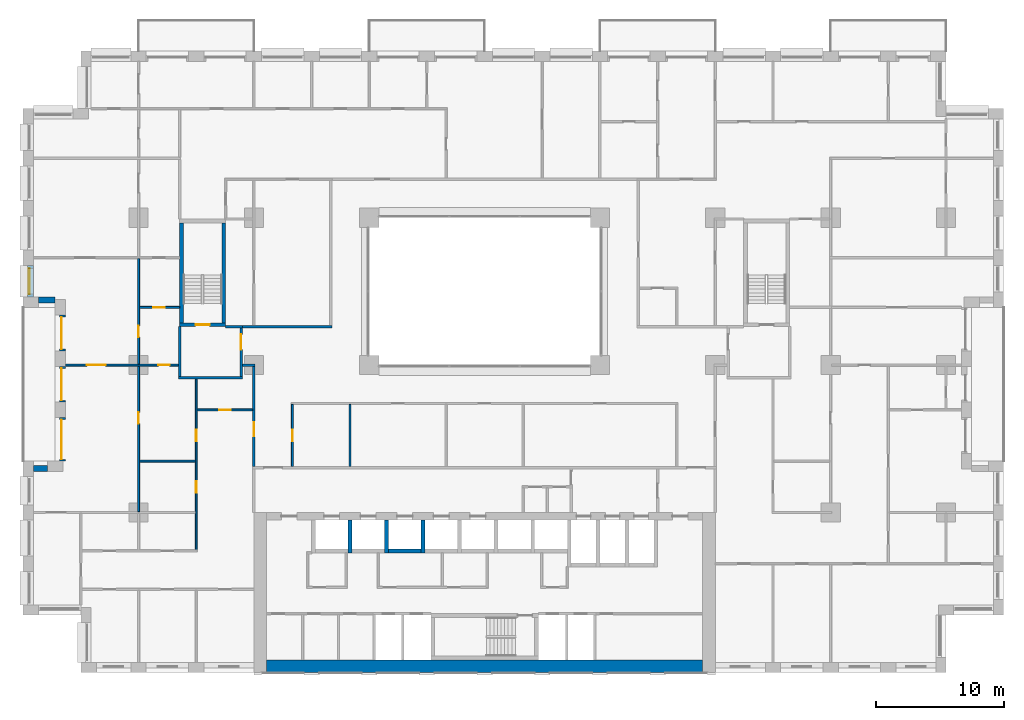
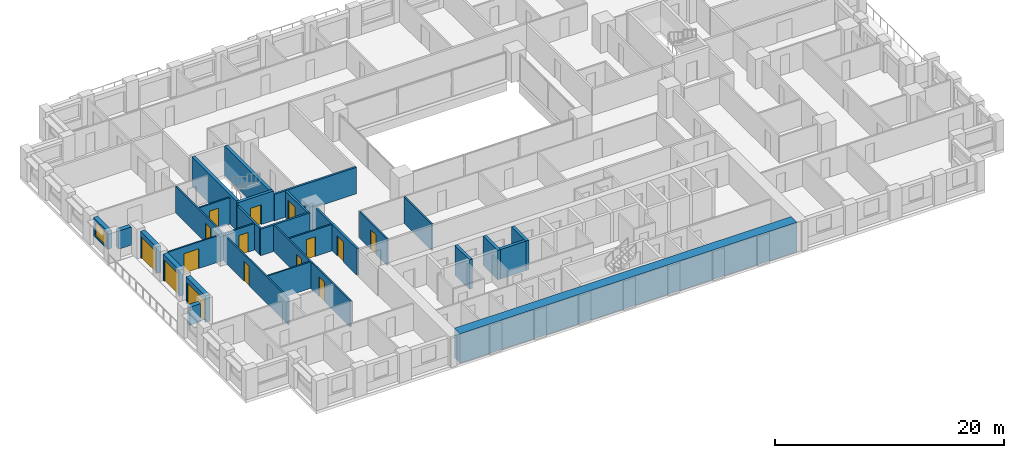
# One storey, part 10 of 20: 30 walls, 15 doors, 1 window, 16 openings.
"""IFC4 building model written with IfcOpenShell, lengths in metres."""

from ifc_helpers import new_model, si_unit, direction, frame, frame_2d, origin, place, context, subcontext, project, spatial, rectangle, extrude, material, layer, layer_set, type_object, element, fill, save


model = new_model("IFC4")

# Units and contexts
model_context = context("Model", 3, precision=1e-05, world=origin(), true_north=direction((0.0, 1.0)))
body_context = subcontext(model_context, "Body", "Model", "MODEL_VIEW")
ifc_project = project(units=[si_unit("LENGTHUNIT", "METRE"), si_unit("AREAUNIT", "SQUARE_METRE"), si_unit("VOLUMEUNIT", "CUBIC_METRE"), si_unit("PLANEANGLEUNIT", "RADIAN"), si_unit("MASSUNIT", "GRAM", prefix="KILO")], contexts=[model_context])

# Site, building, storey
site_placement = place(None, origin())
site = spatial("IfcSite", under=ifc_project, at=site_placement, CompositionType="ELEMENT")
building_placement = place(site_placement, origin())
building = spatial("IfcBuilding", under=site, at=building_placement, Name="Brigalow Station Residences", CompositionType="ELEMENT")
storey_placement = place(building_placement, frame((0.0, 0.0, 57.300048828125)))
storey = spatial("IfcBuildingStorey", under=building, at=storey_placement, Name="L16", CompositionType="ELEMENT", Elevation=57.300048828125)

# Wall, opening, window
ifc_material_1 = material(Name="Clay brick masonry", Category="masonry")
ifc_layer_1 = layer(ifc_material_1, 0.449951171875)
ifc_layer_set_1 = layer_set([ifc_layer_1], Name="BRICK INFILL WALL 450")
wall_type_1 = type_object("IfcWallType", Name="BRICK INFILL WALL 450", PredefinedType="SOLIDWALL", material=ifc_layer_set_1)
wall_1_placement = place(storey_placement, frame((0.574951171875, 31.77490234375, 0.89990234375), z_axis=(0.0, 0.0, 1.0), x_axis=(0.0, -1.0, 0.0)))
wall_1 = element("IfcWall", 1, at=wall_1_placement, inside=storey, type_object=wall_type_1, Name="L16/ewall/W-L16-45", PredefinedType="SOLIDWALL", context=body_context, shape_type="SweptSolid", body=[
    extrude(rectangle(XDim=2.474853515625, YDim=0.449951171875, at=frame_2d((1.2373046875, 0.0))), origin(), (0.0, 0.0, 1.0), 1.929931640625),
])
opening_1_placement = place(wall_1_placement, frame((0.237548828125, 0.0, 0.14990234375)))
opening_1 = element("IfcOpeningElement", 2, at=opening_1_placement, cuts=wall_1, Name="Opening WT-7", PredefinedType="OPENING", context=body_context, shape_type="SweptSolid", body=[
    extrude(rectangle(XDim=2.0, YDim=1.5, at=frame_2d((1.0, 0.75))), frame((0.0, 0.23486328125, 0.0), z_axis=(0.0, -1.0, 0.0), x_axis=(1.0, 0.0, 0.0)), (0.0, 0.0, 1.0), 0.469970703125),
])
ifc_material_2 = material(Name="Anodised aluminium frame with double glazing", Category="aluminium")
window_type = type_object("IfcWindowType", Name="WINDOW 2000x1500", PartitioningType="SINGLE_PANEL", PredefinedType="WINDOW", material=ifc_material_2)
window_placement = place(opening_1_placement, origin())
window = element("IfcWindow", 3, at=window_placement, inside=storey, type_object=window_type, Name="L16/window/W-L16-45", OverallHeight=1.5, OverallWidth=2.0, PartitioningType="SINGLE_PANEL", PredefinedType="WINDOW", context=body_context, shape_type="SweptSolid", body=[
    extrude(rectangle(XDim=2.0, YDim=1.5, at=frame_2d((1.0, 0.75))), frame((0.0, -0.06494140625, 0.0), z_axis=(0.0, -1.0, 0.0), x_axis=(1.0, 0.0, 0.0)), (0.0, 0.0, 1.0), 0.06005859375),
])
fill(opening_1, window)

# Wall
wall_2_placement = place(storey_placement, frame((1.199951171875, 29.074951171875, 0.89990234375), z_axis=(0.0, 0.0, 1.0), x_axis=(1.0, 0.0, 0.0)))
element("IfcWall", 4, at=wall_2_placement, inside=storey, type_object=wall_type_1, Name="L16/ewall/W-L16-46", PredefinedType="SOLIDWALL", context=body_context, shape_type="SweptSolid", body=[
    extrude(rectangle(XDim=1.300048828125, YDim=0.449951171875, at=frame_2d((0.64990234375, 0.0))), origin(), (0.0, 0.0, 1.0), 1.929931640625),
])

# Wall, opening, door
wall_3_placement = place(storey_placement, frame((3.074951171875, 27.89990234375, 0.0), z_axis=(0.0, 0.0, 1.0), x_axis=(0.0, -1.0, 0.0)))
wall_3 = element("IfcWall", 5, at=wall_3_placement, inside=storey, type_object=wall_type_1, Name="L16/ewall/W-L16-47", PredefinedType="SOLIDWALL", context=body_context, shape_type="SweptSolid", body=[
    extrude(rectangle(XDim=2.7998046875, YDim=0.449951171875, at=frame_2d((1.39990234375, 0.0))), origin(), (0.0, 0.0, 1.0), 2.829833984375),
])
opening_2_placement = place(wall_3_placement, frame((0.14990234375, 0.0, 0.0)))
opening_2 = element("IfcOpeningElement", 6, at=opening_2_placement, cuts=wall_3, Name="Opening D-B2500", PredefinedType="OPENING", context=body_context, shape_type="SweptSolid", body=[
    extrude(rectangle(XDim=2.5, YDim=2.300048828125, at=frame_2d((1.25, 1.14990234375))), frame((0.0, 0.23486328125, 0.0), z_axis=(0.0, -1.0, 0.0), x_axis=(1.0, 0.0, 0.0)), (0.0, 0.0, 1.0), 0.469970703125),
])
ifc_material_3 = material(Name="Anodised aluminium frame with double glazing", Category="aluminium")
door_type_1 = type_object("IfcDoorType", Name="BALCONY SLIDING DOOR 2500x2300", OperationType="SLIDING_TO_LEFT", PredefinedType="DOOR", material=ifc_material_3)
door_1_placement = place(opening_2_placement, origin())
door_1 = element("IfcDoor", 7, at=door_1_placement, inside=storey, type_object=door_type_1, Name="L16/balcony-door/W-L16-47", OperationType="SLIDING_TO_LEFT", OverallHeight=2.300048828125, OverallWidth=2.5, PredefinedType="DOOR", context=body_context, shape_type="SweptSolid", body=[
    extrude(rectangle(XDim=2.5, YDim=2.300048828125, at=frame_2d((1.25, 1.14990234375))), frame((0.0, -0.06982421875, 0.0), z_axis=(0.0, -1.0, 0.0), x_axis=(1.0, 0.0, 0.0)), (0.0, 0.0, 1.0), 0.050048828125),
])
fill(opening_2, door_1)

wall_4_placement = place(storey_placement, frame((3.074951171875, 23.89990234375, 0.0), z_axis=(0.0, 0.0, 1.0), x_axis=(0.0, -1.0, 0.0)))
wall_4 = element("IfcWall", 8, at=wall_4_placement, inside=storey, type_object=wall_type_1, Name="L16/ewall/W-L16-48", PredefinedType="SOLIDWALL", context=body_context, shape_type="SweptSolid", body=[
    extrude(rectangle(XDim=2.7998046875, YDim=0.449951171875, at=frame_2d((1.39990234375, 0.0))), origin(), (0.0, 0.0, 1.0), 2.829833984375),
])
opening_3_placement = place(wall_4_placement, frame((0.14990234375, 0.0, 0.0)))
opening_3 = element("IfcOpeningElement", 9, at=opening_3_placement, cuts=wall_4, Name="Opening D-B2500", PredefinedType="OPENING", context=body_context, shape_type="SweptSolid", body=[
    extrude(rectangle(XDim=2.5, YDim=2.300048828125, at=frame_2d((1.25, 1.14990234375))), frame((0.0, 0.23486328125, 0.0), z_axis=(0.0, -1.0, 0.0), x_axis=(1.0, 0.0, 0.0)), (0.0, 0.0, 1.0), 0.469970703125),
])
door_2_placement = place(opening_3_placement, origin())
door_2 = element("IfcDoor", 10, at=door_2_placement, inside=storey, type_object=door_type_1, Name="L16/balcony-door/W-L16-48", OperationType="SLIDING_TO_LEFT", OverallHeight=2.300048828125, OverallWidth=2.5, PredefinedType="DOOR", context=body_context, shape_type="SweptSolid", body=[
    extrude(rectangle(XDim=2.5, YDim=2.300048828125, at=frame_2d((1.25, 1.14990234375))), frame((0.0, -0.06982421875, 0.0), z_axis=(0.0, -1.0, 0.0), x_axis=(1.0, 0.0, 0.0)), (0.0, 0.0, 1.0), 0.050048828125),
])
fill(opening_3, door_2)

wall_5_placement = place(storey_placement, frame((3.074951171875, 19.89990234375, 0.0), z_axis=(0.0, 0.0, 1.0), x_axis=(0.0, -1.0, 0.0)))
wall_5 = element("IfcWall", 11, at=wall_5_placement, inside=storey, type_object=wall_type_1, Name="L16/ewall/W-L16-49", PredefinedType="SOLIDWALL", context=body_context, shape_type="SweptSolid", body=[
    extrude(rectangle(XDim=3.39990234375, YDim=0.449951171875, at=frame_2d((1.699951171875, 0.0))), origin(), (0.0, 0.0, 1.0), 2.829833984375),
])
opening_4_placement = place(wall_5_placement, frame((0.14990234375, 0.0, 0.0)))
opening_4 = element("IfcOpeningElement", 12, at=opening_4_placement, cuts=wall_5, Name="Opening D-B3100", PredefinedType="OPENING", context=body_context, shape_type="SweptSolid", body=[
    extrude(rectangle(XDim=3.10009765625, YDim=2.300048828125, at=frame_2d((1.550048828125, 1.14990234375))), frame((0.0, 0.23486328125, 0.0), z_axis=(0.0, -1.0, 0.0), x_axis=(1.0, 0.0, 0.0)), (0.0, 0.0, 1.0), 0.469970703125),
])
ifc_material_4 = material(Name="Anodised aluminium frame with double glazing", Category="aluminium")
door_type_2 = type_object("IfcDoorType", Name="BALCONY SLIDING DOOR 3100x2300", OperationType="SLIDING_TO_LEFT", PredefinedType="DOOR", material=ifc_material_4)
door_3_placement = place(opening_4_placement, origin())
door_3 = element("IfcDoor", 13, at=door_3_placement, inside=storey, type_object=door_type_2, Name="L16/balcony-door/W-L16-49", OperationType="SLIDING_TO_LEFT", OverallHeight=2.300048828125, OverallWidth=3.10009765625, PredefinedType="DOOR", context=body_context, shape_type="SweptSolid", body=[
    extrude(rectangle(XDim=3.10009765625, YDim=2.300048828125, at=frame_2d((1.550048828125, 1.14990234375))), frame((0.0, -0.06982421875, 0.0), z_axis=(0.0, -1.0, 0.0), x_axis=(1.0, 0.0, 0.0)), (0.0, 0.0, 1.0), 0.050048828125),
])
fill(opening_4, door_3)

# Walls
wall_6_placement = place(storey_placement, frame((1.89990234375, 15.925048828125, 0.89990234375), z_axis=(0.0, 0.0, 1.0), x_axis=(-1.0, 0.0, 0.0)))
element("IfcWall", 14, at=wall_6_placement, inside=storey, type_object=wall_type_1, Name="L16/ewall/W-L16-50", PredefinedType="SOLIDWALL", context=body_context, shape_type="SweptSolid", body=[
    extrude(rectangle(XDim=1.099853515625, YDim=0.449951171875, at=frame_2d((0.5498046875, 0.0))), origin(), (0.0, 0.0, 1.0), 1.929931640625),
])
ifc_material_5 = material(Name="Concrete C80", Category="concrete")
ifc_layer_2 = layer(ifc_material_5, 1.0)
ifc_layer_set_2 = layer_set([ifc_layer_2], Name="CORE SHEAR WALL 1000 C80")
wall_type_2 = type_object("IfcWallType", Name="CORE SHEAR WALL 1000 C80", PredefinedType="SHEAR", material=ifc_layer_set_2)
wall_7_placement = place(storey_placement, frame((19.0, 0.5, 0.0), z_axis=(0.0, 0.0, 1.0), x_axis=(1.0, 0.0, 0.0)))
element("IfcWall", 15, at=wall_7_placement, inside=storey, type_object=wall_type_2, Name="CORE WALL OUT-S L16", PredefinedType="SHEAR", context=body_context, shape_type="SweptSolid", body=[
    extrude(rectangle(XDim=34.0, YDim=1.0, at=frame_2d((17.0, 0.0))), origin(), (0.0, 0.0, 1.0), 3.14990234375),
])
ifc_material_6 = material(Name="Concrete C80", Category="concrete")
ifc_layer_3 = layer(ifc_material_6, 0.300048828125)
ifc_layer_set_3 = layer_set([ifc_layer_3], Name="CORE SHEAR WALL 300 C80")
wall_type_3 = type_object("IfcWallType", Name="CORE SHEAR WALL 300 C80", PredefinedType="SHEAR", material=ifc_layer_set_3)
wall_8_placement = place(storey_placement, frame((25.5, 9.35009765625, 0.0), z_axis=(0.0, 0.0, 1.0), x_axis=(0.0, 1.0, 0.0)))
element("IfcWall", 16, at=wall_8_placement, inside=storey, type_object=wall_type_3, Name="CORE WALL SH-P2-W L16", PredefinedType="SHEAR", context=body_context, shape_type="SweptSolid", body=[
    extrude(rectangle(XDim=2.5498046875, YDim=0.300048828125, at=frame_2d((1.27490234375, 0.0))), origin(), (0.0, 0.0, 1.0), 3.14990234375),
])
wall_9_placement = place(storey_placement, frame((28.5, 9.5, 0.0), z_axis=(0.0, 0.0, 1.0), x_axis=(1.0, 0.0, 0.0)))
element("IfcWall", 17, at=wall_9_placement, inside=storey, type_object=wall_type_3, Name="CORE WALL SH-P3-S L16", PredefinedType="SHEAR", context=body_context, shape_type="SweptSolid", body=[
    extrude(rectangle(XDim=2.550048828125, YDim=0.300048828125, at=frame_2d((1.27490234375, 0.0))), origin(), (0.0, 0.0, 1.0), 3.14990234375),
])
for number, where, z_axis, x_axis, name in (
    (18, (28.35009765625, 9.35009765625, 0.0), (0.0, 0.0, 1.0), (0.0, 1.0, 0.0), "CORE WALL SH-P3-W L16"),
    (19, (31.199951171875, 9.35009765625, 0.0), (0.0, 0.0, 1.0), (0.0, 1.0, 0.0), "CORE WALL SH-P4-W L16"),
):
    element("IfcWall", number, at=place(storey_placement, frame(where, z_axis=z_axis, x_axis=x_axis)), inside=storey, type_object=wall_type_3, Name=name, PredefinedType="SHEAR", context=body_context, shape_type="SweptSolid", body=[
        extrude(rectangle(XDim=2.5498046875, YDim=0.300048828125, at=frame_2d((1.27490234375, 0.0))), origin(), (0.0, 0.0, 1.0), 3.14990234375),
    ])

# Wall, opening, door
wall_10_placement = place(storey_placement, frame((12.199951171875, 27.14990234375, 0.0), z_axis=(0.0, 0.0, 1.0), x_axis=(1.0, 0.0, 0.0)))
wall_10 = element("IfcWall", 20, at=wall_10_placement, inside=storey, type_object=wall_type_3, Name="CORE WALL ST-S1-S L16", PredefinedType="SHEAR", context=body_context, shape_type="SweptSolid", body=[
    extrude(rectangle(XDim=3.60009765625, YDim=0.300048828125, at=frame_2d((1.800048828125, 0.0))), origin(), (0.0, 0.0, 1.0), 3.14990234375),
])
opening_5_placement = place(wall_10_placement, frame((1.25, 0.0, 0.0)))
opening_5 = element("IfcOpeningElement", 21, at=opening_5_placement, cuts=wall_10, Name="Opening D-5015", PredefinedType="OPENING", context=body_context, shape_type="SweptSolid", body=[
    extrude(rectangle(XDim=1.10009765625, YDim=2.10009765625, at=frame_2d((0.550048828125, 1.050048828125))), frame((0.0, 0.16015625, 0.0), z_axis=(0.0, -1.0, 0.0), x_axis=(1.0, 0.0, 0.0)), (0.0, 0.0, 1.0), 0.320068359375),
])
ifc_material_7 = material(Name="Steel fire door leaf in steel frame", Category="steel")
door_type_3 = type_object("IfcDoorType", Name="STAIR DOOR 1100 x 2100 FD60S", OperationType="SINGLE_SWING_LEFT", PredefinedType="DOOR", material=ifc_material_7)
door_4_placement = place(opening_5_placement, origin())
door_4 = element("IfcDoor", 22, at=door_4_placement, inside=storey, type_object=door_type_3, Name="D-5015", OperationType="SINGLE_SWING_LEFT", OverallHeight=2.10009765625, OverallWidth=1.10009765625, PredefinedType="DOOR", context=body_context, shape_type="SweptSolid", body=[
    extrude(rectangle(XDim=1.10009765625, YDim=2.10009765625, at=frame_2d((0.550048828125, 1.050048828125))), frame((0.0, 0.02490234375, 0.0), z_axis=(0.0, -1.0, 0.0), x_axis=(1.0, 0.0, 0.0)), (0.0, 0.0, 1.0), 0.050048828125),
])
fill(opening_5, door_4)

# Walls
for number, where, z_axis, x_axis, name in (
    (23, (12.35009765625, 27.300048828125, 0.0), (0.0, 0.0, 1.0), (0.0, 1.0, 0.0), "CORE WALL ST-S1-W L16"),
    (24, (15.64990234375, 27.300048828125, 0.0), (0.0, 0.0, 1.0), (0.0, 1.0, 0.0), "CORE WALL ST-S1-E L16"),
):
    element("IfcWall", number, at=place(storey_placement, frame(where, z_axis=z_axis, x_axis=x_axis)), inside=storey, type_object=wall_type_3, Name=name, PredefinedType="SHEAR", context=body_context, shape_type="SweptSolid", body=[
        extrude(rectangle(XDim=7.800048828125, YDim=0.300048828125, at=frame_2d((3.89990234375, 0.0))), origin(), (0.0, 0.0, 1.0), 3.14990234375),
    ])
ifc_material_8 = material(Name="Concrete blockwork", Category="masonry")
ifc_layer_4 = layer(ifc_material_8, 0.199951171875)
ifc_layer_set_4 = layer_set([ifc_layer_4], Name="FIRE RATED CORE PARTITION 200")
wall_type_4 = type_object("IfcWallType", Name="FIRE RATED CORE PARTITION 200", PredefinedType="PARTITIONING", material=ifc_layer_set_4)
wall_11_placement = place(storey_placement, frame((12.10009765625, 23.0, 0.0), z_axis=(0.0, 0.0, 1.0), x_axis=(1.0, 0.0, 0.0)))
element("IfcWall", 25, at=wall_11_placement, inside=storey, type_object=wall_type_4, Name="PW-5023", PredefinedType="PARTITIONING", context=body_context, shape_type="SweptSolid", body=[
    extrude(rectangle(XDim=5.0, YDim=0.199951171875, at=frame_2d((2.5, 0.0))), origin(), (0.0, 0.0, 1.0), 2.829833984375),
])
wall_12_placement = place(storey_placement, frame((15.800048828125, 27.0, 0.0), z_axis=(0.0, 0.0, 1.0), x_axis=(1.0, 0.0, 0.0)))
element("IfcWall", 26, at=wall_12_placement, inside=storey, type_object=wall_type_4, Name="PW-5025", PredefinedType="PARTITIONING", context=body_context, shape_type="SweptSolid", body=[
    extrude(rectangle(XDim=1.300048828125, YDim=0.199951171875, at=frame_2d((0.64990234375, 0.0))), origin(), (0.0, 0.0, 1.0), 2.829833984375),
])
wall_13_placement = place(storey_placement, frame((12.199951171875, 23.10009765625, 0.0), z_axis=(0.0, 0.0, 1.0), x_axis=(0.0, 1.0, 0.0)))
element("IfcWall", 27, at=wall_13_placement, inside=storey, type_object=wall_type_4, Name="PW-5034", PredefinedType="PARTITIONING", context=body_context, shape_type="SweptSolid", body=[
    extrude(rectangle(XDim=3.89990234375, YDim=0.199951171875, at=frame_2d((1.949951171875, 0.0))), origin(), (0.0, 0.0, 1.0), 2.829833984375),
])

# Wall, opening, door
wall_14_placement = place(storey_placement, frame((17.0, 23.10009765625, 0.0), z_axis=(0.0, 0.0, 1.0), x_axis=(0.0, 1.0, 0.0)))
wall_14 = element("IfcWall", 28, at=wall_14_placement, inside=storey, type_object=wall_type_4, Name="PW-5035", PredefinedType="PARTITIONING", context=body_context, shape_type="SweptSolid", body=[
    extrude(rectangle(XDim=3.7998046875, YDim=0.199951171875, at=frame_2d((1.89990234375, 0.0))), origin(), (0.0, 0.0, 1.0), 2.829833984375),
])
opening_6_placement = place(wall_14_placement, frame((2.10009765625, 0.0, 0.0)))
opening_6 = element("IfcOpeningElement", 29, at=opening_6_placement, cuts=wall_14, Name="Opening D-5016", PredefinedType="OPENING", context=body_context, shape_type="SweptSolid", body=[
    extrude(rectangle(XDim=1.199951171875, YDim=2.10009765625, at=frame_2d((0.60009765625, 1.050048828125))), frame((0.0, 0.10986328125, 0.0), z_axis=(0.0, -1.0, 0.0), x_axis=(1.0, 0.0, 0.0)), (0.0, 0.0, 1.0), 0.219970703125),
])
ifc_material_9 = material(Name="Steel fire door leaf in steel frame", Category="steel")
door_type_4 = type_object("IfcDoorType", Name="STAIR LOBBY DOOR 1200 x 2100 FD60S", OperationType="SINGLE_SWING_LEFT", PredefinedType="DOOR", material=ifc_material_9)
door_5_placement = place(opening_6_placement, origin())
door_5 = element("IfcDoor", 30, at=door_5_placement, inside=storey, type_object=door_type_4, Name="D-5016", OperationType="SINGLE_SWING_RIGHT", OverallHeight=2.10009765625, OverallWidth=1.199951171875, PredefinedType="DOOR", context=body_context, shape_type="SweptSolid", body=[
    extrude(rectangle(XDim=1.199951171875, YDim=2.10009765625, at=frame_2d((0.60009765625, 1.050048828125))), frame((0.0, 0.02490234375, 0.0), z_axis=(0.0, -1.0, 0.0), x_axis=(1.0, 0.0, 0.0)), (0.0, 0.0, 1.0), 0.050048828125),
])
fill(opening_6, door_5)

# Wall, openings, doors
ifc_material_10 = material(Name="Plasterboard on steel stud partition", Category="steel")
ifc_layer_5 = layer(ifc_material_10, 0.14990234375)
ifc_layer_set_5 = layer_set([ifc_layer_5], Name="FLAT PARTITION 150")
wall_type_5 = type_object("IfcWallType", Name="FLAT PARTITION 150", PredefinedType="PARTITIONING", material=ifc_layer_set_5)
wall_15_placement = place(storey_placement, frame((3.300048828125, 24.0, 0.0), z_axis=(0.0, 0.0, 1.0), x_axis=(1.0, 0.0, 0.0)))
wall_15 = element("IfcWall", 31, at=wall_15_placement, inside=storey, type_object=wall_type_5, Name="PW-1E02", PredefinedType="PARTITIONING", context=body_context, shape_type="SweptSolid", body=[
    extrude(rectangle(XDim=8.800048828125, YDim=0.14990234375, at=frame_2d((4.39990234375, 0.0))), origin(), (0.0, 0.0, 1.0), 2.829833984375),
])
opening_7_placement = place(wall_15_placement, frame((1.64990234375, 0.0, 0.0)))
opening_7 = element("IfcOpeningElement", 32, at=opening_7_placement, cuts=wall_15, Name="Opening D-1E07", PredefinedType="OPENING", context=body_context, shape_type="SweptSolid", body=[
    extrude(rectangle(XDim=1.5, YDim=2.10009765625, at=frame_2d((0.75, 1.050048828125))), frame((0.0, 0.0849609375, 0.0), z_axis=(0.0, -1.0, 0.0), x_axis=(1.0, 0.0, 0.0)), (0.0, 0.0, 1.0), 0.169921875),
])
opening_8_placement = place(wall_15_placement, frame((7.22509765625, 0.0, 0.0)))
opening_8 = element("IfcOpeningElement", 33, at=opening_8_placement, cuts=wall_15, Name="Opening D-1E16", PredefinedType="OPENING", context=body_context, shape_type="SweptSolid", body=[
    extrude(rectangle(XDim=0.89990234375, YDim=2.10009765625, at=frame_2d((0.449951171875, 1.050048828125))), frame((0.0, 0.0849609375, 0.0), z_axis=(0.0, -1.0, 0.0), x_axis=(1.0, 0.0, 0.0)), (0.0, 0.0, 1.0), 0.169921875),
])
ifc_material_11 = material(Name="Solid-core timber door leaf", Category="wood")
door_type_5 = type_object("IfcDoorType", Name="INTERNAL DOOR 900 x 2100", OperationType="SINGLE_SWING_LEFT", PredefinedType="DOOR", material=ifc_material_11)
door_6_placement = place(opening_8_placement, origin())
door_6 = element("IfcDoor", 34, at=door_6_placement, inside=storey, type_object=door_type_5, Name="D-1E16", OperationType="SINGLE_SWING_RIGHT", OverallHeight=2.10009765625, OverallWidth=0.89990234375, PredefinedType="DOOR", context=body_context, shape_type="SweptSolid", body=[
    extrude(rectangle(XDim=0.89990234375, YDim=2.10009765625, at=frame_2d((0.449951171875, 1.050048828125))), frame((0.0, 0.02490234375, 0.0), z_axis=(0.0, -1.0, 0.0), x_axis=(1.0, 0.0, 0.0)), (0.0, 0.0, 1.0), 0.050048828125),
])
fill(opening_8, door_6)
ifc_material_12 = material(Name="Solid-core timber door leaf", Category="wood")
door_type_6 = type_object("IfcDoorType", Name="INTERNAL DOUBLE DOOR 1500 x 2100", OperationType="DOUBLE_DOOR_SINGLE_SWING", PredefinedType="DOOR", material=ifc_material_12)
door_7_placement = place(opening_7_placement, origin())
door_7 = element("IfcDoor", 35, at=door_7_placement, inside=storey, type_object=door_type_6, Name="D-1E07", OperationType="DOUBLE_DOOR_SINGLE_SWING", OverallHeight=2.10009765625, OverallWidth=1.5, PredefinedType="DOOR", context=body_context, shape_type="SweptSolid", body=[
    extrude(rectangle(XDim=1.5, YDim=2.10009765625, at=frame_2d((0.75, 1.050048828125))), frame((0.0, 0.02490234375, 0.0), z_axis=(0.0, -1.0, 0.0), x_axis=(1.0, 0.0, 0.0)), (0.0, 0.0, 1.0), 0.050048828125),
])
fill(opening_7, door_7)

# Wall, opening, door
wall_16_placement = place(storey_placement, frame((13.574951171875, 20.5, 0.0), z_axis=(0.0, 0.0, 1.0), x_axis=(1.0, 0.0, 0.0)))
wall_16 = element("IfcWall", 36, at=wall_16_placement, inside=storey, type_object=wall_type_5, Name="PW-1E16", PredefinedType="PARTITIONING", context=body_context, shape_type="SweptSolid", body=[
    extrude(rectangle(XDim=4.324951171875, YDim=0.14990234375, at=frame_2d((2.16259765625, 0.0))), origin(), (0.0, 0.0, 1.0), 2.829833984375),
])
opening_9_placement = place(wall_16_placement, frame((1.72509765625, 0.0, 0.0)))
opening_9 = element("IfcOpeningElement", 37, at=opening_9_placement, cuts=wall_16, Name="Opening D-1E12", PredefinedType="OPENING", context=body_context, shape_type="SweptSolid", body=[
    extrude(rectangle(XDim=0.89990234375, YDim=2.10009765625, at=frame_2d((0.449951171875, 1.050048828125))), frame((0.0, 0.0849609375, 0.0), z_axis=(0.0, -1.0, 0.0), x_axis=(1.0, 0.0, 0.0)), (0.0, 0.0, 1.0), 0.169921875),
])
door_8_placement = place(opening_9_placement, origin())
door_8 = element("IfcDoor", 38, at=door_8_placement, inside=storey, type_object=door_type_5, Name="D-1E12", OperationType="SINGLE_SWING_RIGHT", OverallHeight=2.10009765625, OverallWidth=0.89990234375, PredefinedType="DOOR", context=body_context, shape_type="SweptSolid", body=[
    extrude(rectangle(XDim=0.89990234375, YDim=2.10009765625, at=frame_2d((0.449951171875, 1.050048828125))), frame((0.0, 0.02490234375, 0.0), z_axis=(0.0, -1.0, 0.0), x_axis=(1.0, 0.0, 0.0)), (0.0, 0.0, 1.0), 0.050048828125),
])
fill(opening_9, door_8)

# Wall
wall_17_placement = place(storey_placement, frame((9.074951171875, 16.5, 0.0), z_axis=(0.0, 0.0, 1.0), x_axis=(1.0, 0.0, 0.0)))
element("IfcWall", 39, at=wall_17_placement, inside=storey, type_object=wall_type_5, Name="PW-1E18", PredefinedType="PARTITIONING", context=body_context, shape_type="SweptSolid", body=[
    extrude(rectangle(XDim=4.35009765625, YDim=0.14990234375, at=frame_2d((2.175048828125, 0.0))), origin(), (0.0, 0.0, 1.0), 2.829833984375),
])

# Wall, opening, door
wall_18_placement = place(storey_placement, frame((9.074951171875, 28.5, 0.0), z_axis=(0.0, 0.0, 1.0), x_axis=(1.0, 0.0, 0.0)))
wall_18 = element("IfcWall", 40, at=wall_18_placement, inside=storey, type_object=wall_type_5, Name="PW-1E22", PredefinedType="PARTITIONING", context=body_context, shape_type="SweptSolid", body=[
    extrude(rectangle(XDim=3.125, YDim=0.14990234375, at=frame_2d((1.5625, 0.0))), origin(), (0.0, 0.0, 1.0), 2.829833984375),
])
opening_10_placement = place(wall_18_placement, frame((1.074951171875, 0.0, 0.0)))
opening_10 = element("IfcOpeningElement", 41, at=opening_10_placement, cuts=wall_18, Name="Opening D-1E18", PredefinedType="OPENING", context=body_context, shape_type="SweptSolid", body=[
    extrude(rectangle(XDim=0.89990234375, YDim=2.10009765625, at=frame_2d((0.449951171875, 1.050048828125))), frame((0.0, 0.0849609375, 0.0), z_axis=(0.0, -1.0, 0.0), x_axis=(1.0, 0.0, 0.0)), (0.0, 0.0, 1.0), 0.169921875),
])
door_9_placement = place(opening_10_placement, origin())
door_9 = element("IfcDoor", 42, at=door_9_placement, inside=storey, type_object=door_type_5, Name="D-1E18", OperationType="SINGLE_SWING_LEFT", OverallHeight=2.10009765625, OverallWidth=0.89990234375, PredefinedType="DOOR", context=body_context, shape_type="SweptSolid", body=[
    extrude(rectangle(XDim=0.89990234375, YDim=2.10009765625, at=frame_2d((0.449951171875, 1.050048828125))), frame((0.0, 0.02490234375, 0.0), z_axis=(0.0, -1.0, 0.0), x_axis=(1.0, 0.0, 0.0)), (0.0, 0.0, 1.0), 0.050048828125),
])
fill(opening_10, door_9)

wall_19_placement = place(storey_placement, frame((21.0, 16.10009765625, 0.0), z_axis=(0.0, 0.0, 1.0), x_axis=(0.0, 1.0, 0.0)))
wall_19 = element("IfcWall", 43, at=wall_19_placement, inside=storey, type_object=wall_type_5, Name="PW-1E43", PredefinedType="PARTITIONING", context=body_context, shape_type="SweptSolid", body=[
    extrude(rectangle(XDim=4.824951171875, YDim=0.14990234375, at=frame_2d((2.41259765625, 0.0))), origin(), (0.0, 0.0, 1.0), 2.829833984375),
])
opening_11_placement = place(wall_19_placement, frame((1.949951171875, 0.0, 0.0)))
opening_11 = element("IfcOpeningElement", 44, at=opening_11_placement, cuts=wall_19, Name="Opening D-1E64", PredefinedType="OPENING", context=body_context, shape_type="SweptSolid", body=[
    extrude(rectangle(XDim=0.89990234375, YDim=2.10009765625, at=frame_2d((0.449951171875, 1.050048828125))), frame((0.0, 0.0849609375, 0.0), z_axis=(0.0, -1.0, 0.0), x_axis=(1.0, 0.0, 0.0)), (0.0, 0.0, 1.0), 0.169921875),
])
door_10_placement = place(opening_11_placement, frame((0.89990234375, 0.0, 0.0), z_axis=(0.0, 0.0, 1.0), x_axis=(-1.0, 0.0, 0.0)))
door_10 = element("IfcDoor", 45, at=door_10_placement, inside=storey, type_object=door_type_5, Name="D-1E64", OperationType="SINGLE_SWING_RIGHT", OverallHeight=2.10009765625, OverallWidth=0.89990234375, PredefinedType="DOOR", context=body_context, shape_type="SweptSolid", body=[
    extrude(rectangle(XDim=0.89990234375, YDim=2.10009765625, at=frame_2d((0.449951171875, 1.050048828125))), frame((0.0, 0.02490234375, 0.0), z_axis=(0.0, -1.0, 0.0), x_axis=(1.0, 0.0, 0.0)), (0.0, 0.0, 1.0), 0.050048828125),
])
fill(opening_11, door_10)

wall_20_placement = place(storey_placement, frame((9.0, 12.574951171875, 0.0), z_axis=(0.0, 0.0, 1.0), x_axis=(0.0, 1.0, 0.0)))
wall_20 = element("IfcWall", 46, at=wall_20_placement, inside=storey, type_object=wall_type_5, Name="PW-1E50", PredefinedType="PARTITIONING", context=body_context, shape_type="SweptSolid", body=[
    extrude(rectangle(XDim=11.35009765625, YDim=0.14990234375, at=frame_2d((5.675048828125, 0.0))), origin(), (0.0, 0.0, 1.0), 2.829833984375),
])
opening_12_placement = place(wall_20_placement, frame((6.85009765625, 0.0, 0.0)))
opening_12 = element("IfcOpeningElement", 47, at=opening_12_placement, cuts=wall_20, Name="Opening D-1E15", PredefinedType="OPENING", context=body_context, shape_type="SweptSolid", body=[
    extrude(rectangle(XDim=0.89990234375, YDim=2.10009765625, at=frame_2d((0.449951171875, 1.050048828125))), frame((0.0, 0.0849609375, 0.0), z_axis=(0.0, -1.0, 0.0), x_axis=(1.0, 0.0, 0.0)), (0.0, 0.0, 1.0), 0.169921875),
])
door_11_placement = place(opening_12_placement, frame((0.89990234375, 0.0, 0.0), z_axis=(0.0, 0.0, 1.0), x_axis=(-1.0, 0.0, 0.0)))
door_11 = element("IfcDoor", 48, at=door_11_placement, inside=storey, type_object=door_type_5, Name="D-1E15", OperationType="SINGLE_SWING_RIGHT", OverallHeight=2.10009765625, OverallWidth=0.89990234375, PredefinedType="DOOR", context=body_context, shape_type="SweptSolid", body=[
    extrude(rectangle(XDim=0.89990234375, YDim=2.10009765625, at=frame_2d((0.449951171875, 1.050048828125))), frame((0.0, 0.02490234375, 0.0), z_axis=(0.0, -1.0, 0.0), x_axis=(1.0, 0.0, 0.0)), (0.0, 0.0, 1.0), 0.050048828125),
])
fill(opening_12, door_11)

wall_21_placement = place(storey_placement, frame((9.0, 24.074951171875, 0.0), z_axis=(0.0, 0.0, 1.0), x_axis=(0.0, 1.0, 0.0)))
wall_21 = element("IfcWall", 49, at=wall_21_placement, inside=storey, type_object=wall_type_5, Name="PW-1E51", PredefinedType="PARTITIONING", context=body_context, shape_type="SweptSolid", body=[
    extrude(rectangle(XDim=8.22509765625, YDim=0.14990234375, at=frame_2d((4.112548828125, 0.0))), origin(), (0.0, 0.0, 1.0), 2.829833984375),
])
opening_13_placement = place(wall_21_placement, frame((2.10009765625, 0.0, 0.0)))
opening_13 = element("IfcOpeningElement", 50, at=opening_13_placement, cuts=wall_21, Name="Opening D-1E08", PredefinedType="OPENING", context=body_context, shape_type="SweptSolid", body=[
    extrude(rectangle(XDim=0.89990234375, YDim=2.10009765625, at=frame_2d((0.449951171875, 1.050048828125))), frame((0.0, 0.0849609375, 0.0), z_axis=(0.0, -1.0, 0.0), x_axis=(1.0, 0.0, 0.0)), (0.0, 0.0, 1.0), 0.169921875),
])
door_12_placement = place(opening_13_placement, frame((0.89990234375, 0.0, 0.0), z_axis=(0.0, 0.0, 1.0), x_axis=(-1.0, 0.0, 0.0)))
door_12 = element("IfcDoor", 51, at=door_12_placement, inside=storey, type_object=door_type_5, Name="D-1E08", OperationType="SINGLE_SWING_LEFT", OverallHeight=2.10009765625, OverallWidth=0.89990234375, PredefinedType="DOOR", context=body_context, shape_type="SweptSolid", body=[
    extrude(rectangle(XDim=0.89990234375, YDim=2.10009765625, at=frame_2d((0.449951171875, 1.050048828125))), frame((0.0, 0.02490234375, 0.0), z_axis=(0.0, -1.0, 0.0), x_axis=(1.0, 0.0, 0.0)), (0.0, 0.0, 1.0), 0.050048828125),
])
fill(opening_13, door_12)

# Wall, openings, doors
wall_22_placement = place(storey_placement, frame((13.5, 9.574951171875, 0.0), z_axis=(0.0, 0.0, 1.0), x_axis=(0.0, 1.0, 0.0)))
wall_22 = element("IfcWall", 52, at=wall_22_placement, inside=storey, type_object=wall_type_5, Name="PW-1E57", PredefinedType="PARTITIONING", context=body_context, shape_type="SweptSolid", body=[
    extrude(rectangle(XDim=13.324951171875, YDim=0.14990234375, at=frame_2d((6.66259765625, 0.0))), origin(), (0.0, 0.0, 1.0), 2.829833984375),
])
opening_14_placement = place(wall_22_placement, frame((8.47509765625, 0.0, 0.0)))
opening_14 = element("IfcOpeningElement", 53, at=opening_14_placement, cuts=wall_22, Name="Opening D-1E10", PredefinedType="OPENING", context=body_context, shape_type="SweptSolid", body=[
    extrude(rectangle(XDim=0.89990234375, YDim=2.10009765625, at=frame_2d((0.449951171875, 1.050048828125))), frame((0.0, 0.0849609375, 0.0), z_axis=(0.0, -1.0, 0.0), x_axis=(1.0, 0.0, 0.0)), (0.0, 0.0, 1.0), 0.169921875),
])
opening_15_placement = place(wall_22_placement, frame((4.47509765625, 0.0, 0.0)))
opening_15 = element("IfcOpeningElement", 54, at=opening_15_placement, cuts=wall_22, Name="Opening D-1E13", PredefinedType="OPENING", context=body_context, shape_type="SweptSolid", body=[
    extrude(rectangle(XDim=0.89990234375, YDim=2.10009765625, at=frame_2d((0.449951171875, 1.050048828125))), frame((0.0, 0.0849609375, 0.0), z_axis=(0.0, -1.0, 0.0), x_axis=(1.0, 0.0, 0.0)), (0.0, 0.0, 1.0), 0.169921875),
])
door_13_placement = place(opening_14_placement, origin())
door_13 = element("IfcDoor", 55, at=door_13_placement, inside=storey, type_object=door_type_5, Name="D-1E10", OperationType="SINGLE_SWING_LEFT", OverallHeight=2.10009765625, OverallWidth=0.89990234375, PredefinedType="DOOR", context=body_context, shape_type="SweptSolid", body=[
    extrude(rectangle(XDim=0.89990234375, YDim=2.10009765625, at=frame_2d((0.449951171875, 1.050048828125))), frame((0.0, 0.02490234375, 0.0), z_axis=(0.0, -1.0, 0.0), x_axis=(1.0, 0.0, 0.0)), (0.0, 0.0, 1.0), 0.050048828125),
])
fill(opening_14, door_13)
door_14_placement = place(opening_15_placement, origin())
door_14 = element("IfcDoor", 56, at=door_14_placement, inside=storey, type_object=door_type_5, Name="D-1E13", OperationType="SINGLE_SWING_LEFT", OverallHeight=2.10009765625, OverallWidth=0.89990234375, PredefinedType="DOOR", context=body_context, shape_type="SweptSolid", body=[
    extrude(rectangle(XDim=0.89990234375, YDim=2.10009765625, at=frame_2d((0.449951171875, 1.050048828125))), frame((0.0, 0.02490234375, 0.0), z_axis=(0.0, -1.0, 0.0), x_axis=(1.0, 0.0, 0.0)), (0.0, 0.0, 1.0), 0.050048828125),
])
fill(opening_15, door_14)

# Walls
wall_23_placement = place(storey_placement, frame((25.5, 16.10009765625, 0.0), z_axis=(0.0, 0.0, 1.0), x_axis=(0.0, 1.0, 0.0)))
element("IfcWall", 57, at=wall_23_placement, inside=storey, type_object=wall_type_5, Name="PW-1E82", PredefinedType="PARTITIONING", context=body_context, shape_type="SweptSolid", body=[
    extrude(rectangle(XDim=4.824951171875, YDim=0.14990234375, at=frame_2d((2.41259765625, 0.0))), origin(), (0.0, 0.0, 1.0), 2.829833984375),
])
ifc_material_13 = material(Name="Plasterboard on steel stud partition", Category="steel")
ifc_layer_6 = layer(ifc_material_13, 0.199951171875)
ifc_layer_set_6 = layer_set([ifc_layer_6], Name="PARTY AND CORRIDOR WALL 200")
wall_type_6 = type_object("IfcWallType", Name="PARTY AND CORRIDOR WALL 200", PredefinedType="PARTITIONING", material=ifc_layer_set_6)
wall_24_placement = place(storey_placement, frame((17.10009765625, 24.0, 0.0), z_axis=(0.0, 0.0, 1.0), x_axis=(1.0, 0.0, 0.0)))
element("IfcWall", 58, at=wall_24_placement, inside=storey, type_object=wall_type_6, Name="PW-1E04", PredefinedType="PARTITIONING", context=body_context, shape_type="SweptSolid", body=[
    extrude(rectangle(XDim=1.0, YDim=0.199951171875, at=frame_2d((0.5, 0.0))), origin(), (0.0, 0.0, 1.0), 2.829833984375),
])
wall_25_placement = place(storey_placement, frame((17.10009765625, 27.0, 0.0), z_axis=(0.0, 0.0, 1.0), x_axis=(1.0, 0.0, 0.0)))
element("IfcWall", 59, at=wall_25_placement, inside=storey, type_object=wall_type_6, Name="PW-1E06", PredefinedType="PARTITIONING", context=body_context, shape_type="SweptSolid", body=[
    extrude(rectangle(XDim=7.0, YDim=0.199951171875, at=frame_2d((3.5, 0.0))), origin(), (0.0, 0.0, 1.0), 2.829833984375),
])

# Wall, opening, door
wall_26_placement = place(storey_placement, frame((18.0, 16.10009765625, 0.0), z_axis=(0.0, 0.0, 1.0), x_axis=(0.0, 1.0, 0.0)))
wall_26 = element("IfcWall", 60, at=wall_26_placement, inside=storey, type_object=wall_type_6, Name="PW-1E39", PredefinedType="PARTITIONING", context=body_context, shape_type="SweptSolid", body=[
    extrude(rectangle(XDim=7.7998046875, YDim=0.199951171875, at=frame_2d((3.89990234375, 0.0))), origin(), (0.0, 0.0, 1.0), 2.829833984375),
])
opening_16_placement = place(wall_26_placement, frame((2.35009765625, 0.0, 0.0)))
opening_16 = element("IfcOpeningElement", 61, at=opening_16_placement, cuts=wall_26, Name="Opening D-1E21", PredefinedType="OPENING", context=body_context, shape_type="SweptSolid", body=[
    extrude(rectangle(XDim=1.10009765625, YDim=2.10009765625, at=frame_2d((0.550048828125, 1.050048828125))), frame((0.0, 0.10986328125, 0.0), z_axis=(0.0, -1.0, 0.0), x_axis=(1.0, 0.0, 0.0)), (0.0, 0.0, 1.0), 0.219970703125),
])
ifc_material_14 = material(Name="Solid-core timber door leaf", Category="wood")
door_type_7 = type_object("IfcDoorType", Name="FLAT ENTRANCE DOOR 1100 x 2100 FRL -/60/30", OperationType="SINGLE_SWING_LEFT", PredefinedType="DOOR", material=ifc_material_14)
door_15_placement = place(opening_16_placement, origin())
door_15 = element("IfcDoor", 62, at=door_15_placement, inside=storey, type_object=door_type_7, Name="D-1E21", OperationType="SINGLE_SWING_RIGHT", OverallHeight=2.10009765625, OverallWidth=1.10009765625, PredefinedType="DOOR", context=body_context, shape_type="SweptSolid", body=[
    extrude(rectangle(XDim=1.10009765625, YDim=2.10009765625, at=frame_2d((0.550048828125, 1.050048828125))), frame((0.0, 0.02490234375, 0.0), z_axis=(0.0, -1.0, 0.0), x_axis=(1.0, 0.0, 0.0)), (0.0, 0.0, 1.0), 0.050048828125),
])
fill(opening_16, door_15)

save(model, "model.ifc")
